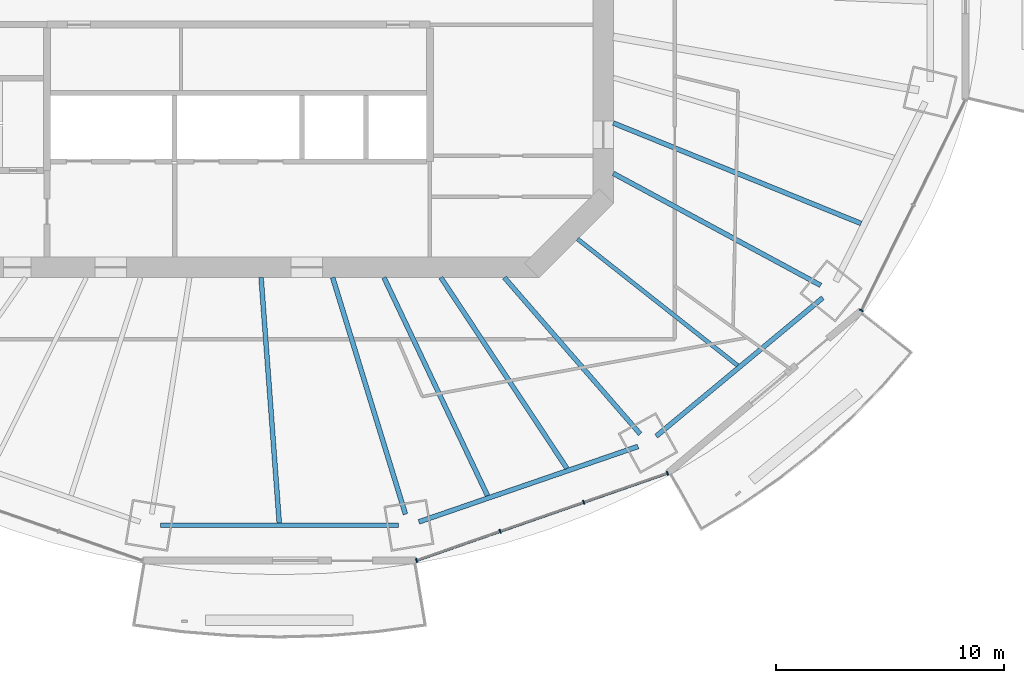
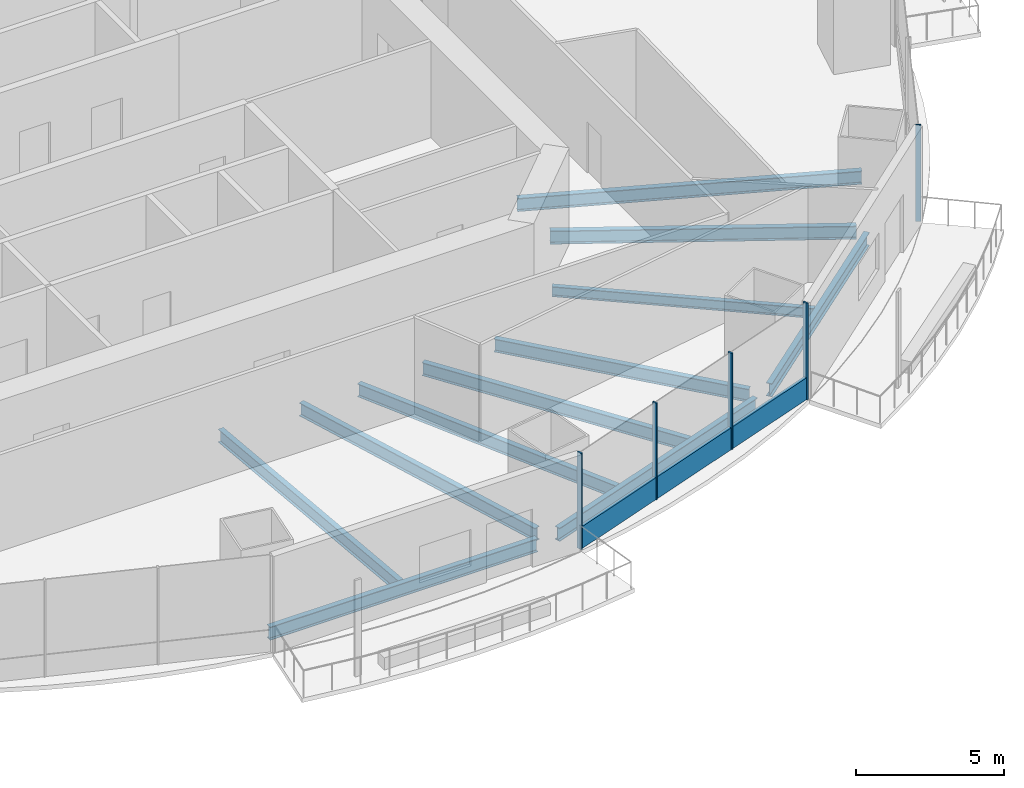
# One storey, part 4 of 19: 11 beams, 6 members, 2 elements without a shape of their own.
"""IFC4 building model written with IfcOpenShell, lengths in metres."""

from ifc_helpers import new_model, si_unit, direction, frame, origin, origin_2d, place, context, subcontext, project, spatial, rectangle, i_section, extrude, material, material_profile, profile_set, type_object, element, aggregate, save


model = new_model("IFC4")

# Units and contexts
model_context = context("Model", 3, precision=1e-05, world=origin(), true_north=direction((0.0, 1.0)))
body_context = subcontext(model_context, "Body", "Model", "MODEL_VIEW")
ifc_project = project(units=[si_unit("LENGTHUNIT", "METRE"), si_unit("AREAUNIT", "SQUARE_METRE"), si_unit("VOLUMEUNIT", "CUBIC_METRE"), si_unit("PLANEANGLEUNIT", "RADIAN"), si_unit("MASSUNIT", "GRAM", prefix="KILO")], contexts=[model_context])

# Site, building, storey
site_placement = place(None, origin())
site = spatial("IfcSite", under=ifc_project, at=site_placement, CompositionType="ELEMENT")
building_placement = place(site_placement, origin())
building = spatial("IfcBuilding", under=site, at=building_placement, Name="Marenthal Gate Tower", CompositionType="ELEMENT")
storey_placement = place(building_placement, frame((0.0, 0.0, 231.60009765625)))
storey = spatial("IfcBuildingStorey", under=building, at=storey_placement, Name="L51", CompositionType="ELEMENT", Elevation=231.60009765625)

# Curtain wall, members
ifc_material_1 = material(Name="Aluminium and glass", Category="aluminium")
curtain_wall_type = type_object("IfcCurtainWallType", Name="Curtain wall typical mid", PredefinedType="NOTDEFINED", material=ifc_material_1)
curtain_wall_1_placement = place(storey_placement, origin())
curtain_wall_1 = element("IfcCurtainWall", 1, at=curtain_wall_1_placement, inside=storey, type_object=curtain_wall_type, Name="Curtain wall L51 bay 13", PredefinedType="NOTDEFINED")
ifc_material_2 = material(Name="Aluminium", Category="aluminium")
ifc_material_profile_1 = material_profile(ifc_material_2, rectangle(XDim=0.179931640625, YDim=0.06005859375, at=origin_2d()), Name="60x180 aluminium mullion")
ifc_profile_set_1 = profile_set([ifc_material_profile_1], Name="Aluminium")
member_type_1 = type_object("IfcMemberType", Name="Mullion 60x180 typical mid", PredefinedType="MULLION", material=ifc_profile_set_1)
member_1_placement = place(storey_placement, frame((7.815185546875, -25.860107421875, 0.0), z_axis=(0.0, 0.0, 1.0), x_axis=(-0.328467970612, 0.94451510961, 0.0)))
member_1 = element("IfcMember", 2, at=member_1_placement, type_object=member_type_1, Name="Mullion L51 bay 13.1", PredefinedType="MULLION", context=body_context, shape_type="SweptSolid", body=[
    extrude(rectangle(XDim=0.179931640625, YDim=0.06005859375, at=origin_2d()), origin(), (0.0, 0.0, 1.0), 3.969970703125),
])
member_2_placement = place(storey_placement, frame((11.48388671875, -24.584228515625, 0.0), z_axis=(0.0, 0.0, 1.0), x_axis=(-0.328467970612, 0.94451510961, 0.0)))
member_2 = element("IfcMember", 3, at=member_2_placement, type_object=member_type_1, Name="Mullion L51 bay 13.2", PredefinedType="MULLION", context=body_context, shape_type="SweptSolid", body=[
    extrude(rectangle(XDim=0.179931640625, YDim=0.06005859375, at=origin_2d()), origin(), (0.0, 0.0, 1.0), 3.969970703125),
])
member_3_placement = place(storey_placement, frame((15.15234375, -23.308349609375, 0.0), z_axis=(0.0, 0.0, 1.0), x_axis=(-0.328467970612, 0.94451510961, 0.0)))
member_3 = element("IfcMember", 4, at=member_3_placement, type_object=member_type_1, Name="Mullion L51 bay 13.3", PredefinedType="MULLION", context=body_context, shape_type="SweptSolid", body=[
    extrude(rectangle(XDim=0.179931640625, YDim=0.06005859375, at=origin_2d()), origin(), (0.0, 0.0, 1.0), 3.969970703125),
])
member_4_placement = place(storey_placement, frame((18.821044921875, -22.03271484375, 0.0), z_axis=(0.0, 0.0, 1.0), x_axis=(-0.328467970612, 0.94451510961, 0.0)))
member_4 = element("IfcMember", 5, at=member_4_placement, type_object=member_type_1, Name="Mullion L51 bay 13.4", PredefinedType="MULLION", context=body_context, shape_type="SweptSolid", body=[
    extrude(rectangle(XDim=0.179931640625, YDim=0.06005859375, at=origin_2d()), origin(), (0.0, 0.0, 1.0), 3.969970703125),
])

# Curtain wall, member
curtain_wall_2_placement = place(storey_placement, origin())
curtain_wall_2 = element("IfcCurtainWall", 6, at=curtain_wall_2_placement, inside=storey, type_object=curtain_wall_type, Name="Curtain wall L51 bay 15", PredefinedType="NOTDEFINED")
member_5_placement = place(storey_placement, frame((27.329345703125, -14.887451171875, 0.0), z_axis=(0.0, 0.0, 1.0), x_axis=(-0.896797507361, 0.442441217329, 0.0)))
member_5 = element("IfcMember", 7, at=member_5_placement, type_object=member_type_1, Name="Mullion L51 bay 15.1", PredefinedType="MULLION", context=body_context, shape_type="SweptSolid", body=[
    extrude(rectangle(XDim=0.179931640625, YDim=0.06005859375, at=origin_2d()), origin(), (0.0, 0.0, 1.0), 3.969970703125),
])
aggregate(curtain_wall_2, [member_5])

# Member
ifc_material_3 = material(Name="Aluminium", Category="aluminium")
ifc_material_profile_2 = material_profile(ifc_material_3, rectangle(XDim=0.1201171875, YDim=0.89990234375, at=origin_2d()), Name="120x900 aluminium transom")
ifc_profile_set_2 = profile_set([ifc_material_profile_2], Name="Aluminium")
member_type_2 = type_object("IfcMemberType", Name="Transom 120x900 typical mid", PredefinedType="USERDEFINED", material=ifc_profile_set_2)
member_6_placement = place(storey_placement, frame((7.843505859375, -25.85009765625, 0.449951171875), z_axis=(0.944518387827, 0.328458543894, 0.0), x_axis=(-0.328458543894, 0.944518387827, 0.0)))
member_6 = element("IfcMember", 8, at=member_6_placement, type_object=member_type_2, Name="Transom L51 bay 13", ObjectType="TRANSOM", PredefinedType="USERDEFINED", context=body_context, shape_type="SweptSolid", body=[
    extrude(rectangle(XDim=0.1201171875, YDim=0.89990234375, at=origin_2d()), origin(), (0.0, 0.0, 1.0), 11.59228515625),
])

aggregate(curtain_wall_1, [member_1, member_2, member_3, member_4, member_6])

# Beams
ifc_material_4 = material(Name="Steel S355", Category="steel")
ifc_material_profile_3 = material_profile(ifc_material_4, i_section(OverallWidth=0.180908203125, OverallDepth=0.4169921875, WebThickness=0.010986328125, FlangeThickness=0.018310546875, FilletRadius=0.01025390625, at=origin_2d()), Name="W410X85")
ifc_profile_set_3 = profile_set([ifc_material_profile_3], Name="Steel S355")
beam_type_1 = type_object("IfcBeamType", Name="W410X85 beam", PredefinedType="BEAM", material=ifc_profile_set_3)
beam_1_placement = place(storey_placement, frame((21.90185546875, -17.3056640625, -0.388671875), z_axis=(-0.784622950909, 0.619973245316, 0.0), x_axis=(-0.619973245316, -0.784622950909, 0.0)))
element("IfcBeam", 9, at=beam_1_placement, inside=storey, type_object=beam_type_1, Name="BM-L51-37", PredefinedType="BEAM", context=body_context, shape_type="SweptSolid", body=[
    extrude(i_section(OverallWidth=0.180908203125, OverallDepth=0.4169921875, WebThickness=0.010986328125, FlangeThickness=0.018310546875, FilletRadius=0.01025390625, at=origin_2d()), origin(), (0.0, 0.0, 1.0), 8.9501953125),
])
ifc_material_5 = material(Name="Steel S355", Category="steel")
ifc_material_profile_4 = material_profile(ifc_material_5, i_section(OverallWidth=0.2099609375, OverallDepth=0.535888671875, WebThickness=0.010986328125, FlangeThickness=0.017333984375, FilletRadius=0.0126953125, at=origin_2d()), Name="W530X101")
ifc_profile_set_4 = profile_set([ifc_material_profile_4], Name="Steel S355")
beam_type_2 = type_object("IfcBeamType", Name="W530X101 beam", PredefinedType="BEAM", material=ifc_profile_set_4)
beam_2_placement = place(storey_placement, frame((17.62939453125, -20.314697265625, -0.447998046875), z_axis=(-0.655422273477, 0.755262632089, 0.0), x_axis=(-0.755262632089, -0.655422273477, 0.0)))
element("IfcBeam", 10, at=beam_2_placement, inside=storey, type_object=beam_type_2, Name="BM-L51-14", PredefinedType="BEAM", context=body_context, shape_type="SweptSolid", body=[
    extrude(i_section(OverallWidth=0.2099609375, OverallDepth=0.535888671875, WebThickness=0.010986328125, FlangeThickness=0.017333984375, FilletRadius=0.0126953125, at=origin_2d()), origin(), (0.0, 0.0, 1.0), 9.089111328125),
])
beam_3_placement = place(storey_placement, frame((1.792236328125, -24.21435546875, -0.447998046875), z_axis=(-0.073804200104, 0.99727275108, 0.0), x_axis=(-0.99727275108, -0.073804200104, 0.0)))
element("IfcBeam", 11, at=beam_3_placement, inside=storey, type_object=beam_type_2, Name="BM-L51-34", PredefinedType="BEAM", context=body_context, shape_type="SweptSolid", body=[
    extrude(i_section(OverallWidth=0.2099609375, OverallDepth=0.535888671875, WebThickness=0.010986328125, FlangeThickness=0.017333984375, FilletRadius=0.0126953125, at=origin_2d()), origin(), (0.0, 0.0, 1.0), 10.7939453125),
])
beam_4_placement = place(storey_placement, frame((10.930419921875, -23.020263671875, -0.447998046875), z_axis=(-0.428906389913, 0.903348940715, 0.0), x_axis=(-0.903348940715, -0.428906389913, 0.0)))
element("IfcBeam", 12, at=beam_4_placement, inside=storey, type_object=beam_type_2, Name="BM-L51-35", PredefinedType="BEAM", context=body_context, shape_type="SweptSolid", body=[
    extrude(i_section(OverallWidth=0.2099609375, OverallDepth=0.535888671875, WebThickness=0.010986328125, FlangeThickness=0.017333984375, FilletRadius=0.0126953125, at=origin_2d()), origin(), (0.0, 0.0, 1.0), 10.59423828125),
])
beam_5_placement = place(storey_placement, frame((14.41357421875, -21.821533203125, -0.447998046875), z_axis=(-0.551140500108, 0.834412457446, 0.0), x_axis=(-0.834412457446, -0.551140500108, 0.0)))
element("IfcBeam", 13, at=beam_5_placement, inside=storey, type_object=beam_type_2, Name="BM-L51-36", PredefinedType="BEAM", context=body_context, shape_type="SweptSolid", body=[
    extrude(i_section(OverallWidth=0.2099609375, OverallDepth=0.535888671875, WebThickness=0.010986328125, FlangeThickness=0.017333984375, FilletRadius=0.0126953125, at=origin_2d()), origin(), (0.0, 0.0, 1.0), 10.032958984375),
])
ifc_material_6 = material(Name="Steel S355", Category="steel")
ifc_material_profile_5 = material_profile(ifc_material_6, i_section(OverallWidth=0.2119140625, OverallDepth=0.5439453125, WebThickness=0.01318359375, FlangeThickness=0.021240234375, FilletRadius=0.0126953125, at=origin_2d()), Name="W530X123")
ifc_profile_set_5 = profile_set([ifc_material_profile_5], Name="Steel S355")
beam_type_3 = type_object("IfcBeamType", Name="W530X123 beam", PredefinedType="BEAM", material=ifc_profile_set_5)
beam_6_placement = place(storey_placement, frame((7.3291015625, -23.833740234375, -0.4521484375), z_axis=(-0.293926346107, 0.955828071917, 0.0), x_axis=(-0.955828071917, -0.293926346107, 0.0)))
element("IfcBeam", 14, at=beam_6_placement, inside=storey, type_object=beam_type_3, Name="BM-L51-13", PredefinedType="BEAM", context=body_context, shape_type="SweptSolid", body=[
    extrude(i_section(OverallWidth=0.2119140625, OverallDepth=0.5439453125, WebThickness=0.01318359375, FlangeThickness=0.021240234375, FilletRadius=0.0126953125, at=origin_2d()), origin(), (0.0, 0.0, 1.0), 10.86376953125),
])
beam_7_placement = place(storey_placement, frame((25.547607421875, -13.791015625, -0.4521484375), z_axis=(-0.879970155626, 0.475028973019, 0.0), x_axis=(-0.475028973019, -0.879970155626, 0.0)))
element("IfcBeam", 15, at=beam_7_placement, inside=storey, type_object=beam_type_3, Name="BM-L51-15", PredefinedType="BEAM", context=body_context, shape_type="SweptSolid", body=[
    extrude(i_section(OverallWidth=0.2119140625, OverallDepth=0.5439453125, WebThickness=0.01318359375, FlangeThickness=0.021240234375, FilletRadius=0.0126953125, at=origin_2d()), origin(), (0.0, 0.0, 1.0), 10.338623046875),
])
beam_8_placement = place(storey_placement, frame((27.321533203125, -11.077880859375, -0.4521484375), z_axis=(-0.926722620967, 0.375746169359, 0.0), x_axis=(-0.375746169359, -0.926722620967, 0.0)))
element("IfcBeam", 16, at=beam_8_placement, inside=storey, type_object=beam_type_3, Name="BM-L51-38", PredefinedType="BEAM", context=body_context, shape_type="SweptSolid", body=[
    extrude(i_section(OverallWidth=0.2119140625, OverallDepth=0.5439453125, WebThickness=0.01318359375, FlangeThickness=0.021240234375, FilletRadius=0.0126953125, at=origin_2d()), origin(), (0.0, 0.0, 1.0), 11.731201171875),
])
beam_9_placement = place(storey_placement, frame((-3.415771484375, -24.3203125, -0.4521484375), z_axis=(1.0, 0.0, 0.0), x_axis=(0.0, 1.0, 0.0)))
element("IfcBeam", 17, at=beam_9_placement, inside=storey, type_object=beam_type_3, Name="BM-L51-52", PredefinedType="BEAM", context=body_context, shape_type="SweptSolid", body=[
    extrude(i_section(OverallWidth=0.2119140625, OverallDepth=0.5439453125, WebThickness=0.01318359375, FlangeThickness=0.021240234375, FilletRadius=0.0126953125, at=origin_2d()), origin(), (0.0, 0.0, 1.0), 10.431640625),
])
beam_10_placement = place(storey_placement, frame((7.9169921875, -24.16943359375, -0.4521484375), z_axis=(0.945567746604, 0.325425316443, 0.0), x_axis=(-0.325425316443, 0.945567746604, 0.0)))
element("IfcBeam", 18, at=beam_10_placement, inside=storey, type_object=beam_type_3, Name="BM-L51-53", PredefinedType="BEAM", context=body_context, shape_type="SweptSolid", body=[
    extrude(i_section(OverallWidth=0.2119140625, OverallDepth=0.5439453125, WebThickness=0.01318359375, FlangeThickness=0.021240234375, FilletRadius=0.0126953125, at=origin_2d()), origin(), (0.0, 0.0, 1.0), 10.16845703125),
])
beam_11_placement = place(storey_placement, frame((18.33056640625, -20.410888671875, -0.4521484375), z_axis=(0.769144726812, 0.639074635091, 0.0), x_axis=(-0.639074635091, 0.769144726812, 0.0)))
element("IfcBeam", 19, at=beam_11_placement, inside=storey, type_object=beam_type_3, Name="BM-L51-54", PredefinedType="BEAM", context=body_context, shape_type="SweptSolid", body=[
    extrude(i_section(OverallWidth=0.2119140625, OverallDepth=0.5439453125, WebThickness=0.01318359375, FlangeThickness=0.021240234375, FilletRadius=0.0126953125, at=origin_2d()), origin(), (0.0, 0.0, 1.0), 9.505126953125),
])

save(model, "model.ifc")
